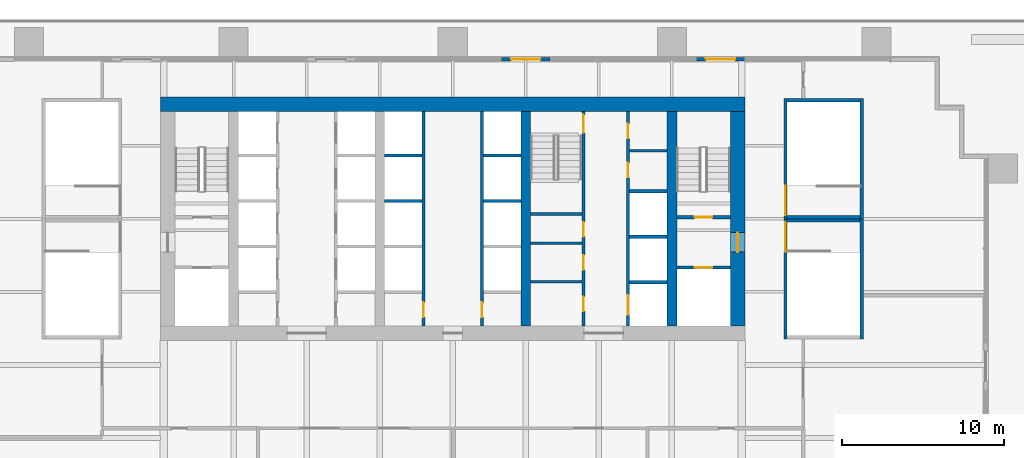
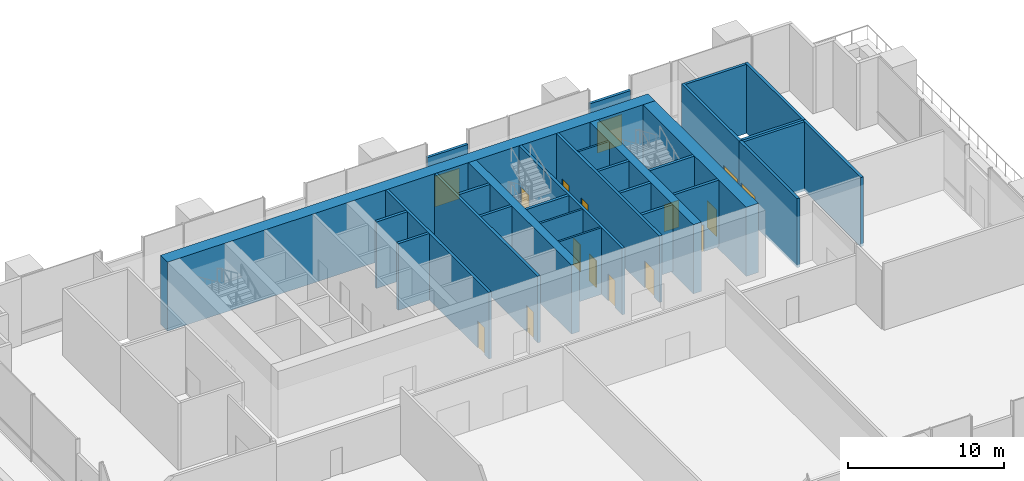
# One storey, part 10 of 16: 30 walls, 16 doors, 16 openings.
"""IFC4 building model written with IfcOpenShell, lengths in metres."""

from ifc_helpers import new_model, si_unit, direction, frame, frame_2d, origin, place, context, subcontext, project, spatial, rectangle, extrude, material, layer, layer_set, type_object, element, fill, save


model = new_model("IFC4")

# Units and contexts
model_context = context("Model", 3, precision=1e-05, world=origin(), true_north=direction((0.0, 1.0)))
body_context = subcontext(model_context, "Body", "Model", "MODEL_VIEW")
ifc_project = project(units=[si_unit("LENGTHUNIT", "METRE"), si_unit("AREAUNIT", "SQUARE_METRE"), si_unit("VOLUMEUNIT", "CUBIC_METRE"), si_unit("PLANEANGLEUNIT", "RADIAN"), si_unit("MASSUNIT", "GRAM", prefix="KILO")], contexts=[model_context])

# Site, building, storey
site_placement = place(None, origin())
site = spatial("IfcSite", under=ifc_project, at=site_placement, CompositionType="ELEMENT")
building_placement = place(site_placement, origin())
building = spatial("IfcBuilding", under=site, at=building_placement, Name="Rattan Terrace Tower", CompositionType="ELEMENT")
storey_placement = place(building_placement, frame((0.0, 0.0, 27.0)))
storey = spatial("IfcBuildingStorey", under=building, at=storey_placement, Name="L05", CompositionType="ELEMENT", Elevation=27.0)

# Walls
ifc_material_1 = material(Name="Gypsum board partition")
ifc_layer_1 = layer(ifc_material_1, 0.14990234375)
ifc_layer_set_1 = layer_set([ifc_layer_1], Name="Core partition 150")
wall_type_1 = type_object("IfcWallType", Name="Core partition 150", PredefinedType="PARTITIONING", material=ifc_layer_set_1)
for number, where, z_axis, x_axis, name in (
    (1, (4.800048828125, -3.8798828125, 0.0), (0.0, 0.0, 1.0), (1.0, 0.0, 0.0), "Toilet wall"),
    (2, (4.800048828125, -1.5, 0.0), (0.0, 0.0, 1.0), (1.0, 0.0, 0.0), "Toilet wall"),
):
    element("IfcWall", number, at=place(storey_placement, frame(where, z_axis=z_axis, x_axis=x_axis)), inside=storey, type_object=wall_type_1, Name=name, PredefinedType="PARTITIONING", context=body_context, shape_type="SweptSolid", body=[
        extrude(rectangle(XDim=3.14990234375, YDim=0.14990234375, at=frame_2d((1.574951171875, 0.0))), origin(), (0.0, 0.0, 1.0), 5.199951171875),
    ])
wall_1_placement = place(storey_placement, frame((10.89990234375, 4.199951171875, 0.0), z_axis=(0.0, 0.0, 1.0), x_axis=(1.0, 0.0, 0.0)))
element("IfcWall", 3, at=wall_1_placement, inside=storey, type_object=wall_type_1, Name="Riser room wall", PredefinedType="PARTITIONING", context=body_context, shape_type="SweptSolid", body=[
    extrude(rectangle(XDim=2.300048828125, YDim=0.14990234375, at=frame_2d((1.14990234375, 0.0))), origin(), (0.0, 0.0, 1.0), 5.199951171875),
])

# Wall, opening, door
ifc_material_2 = material(Name="Gypsum board partition")
ifc_layer_2 = layer(ifc_material_2, 0.199951171875)
ifc_layer_set_2 = layer_set([ifc_layer_2], Name="Core partition 200")
wall_type_2 = type_object("IfcWallType", Name="Core partition 200", PredefinedType="PARTITIONING", material=ifc_layer_set_2)
wall_2_placement = place(storey_placement, frame((13.800048828125, -3.0, 0.0), z_axis=(0.0, 0.0, 1.0), x_axis=(1.0, 0.0, 0.0)))
wall_2 = element("IfcWall", 4, at=wall_2_placement, inside=storey, type_object=wall_type_2, Name="Fire-fighting lobby wall", PredefinedType="PARTITIONING", context=body_context, shape_type="SweptSolid", body=[
    extrude(rectangle(XDim=3.300048828125, YDim=0.199951171875, at=frame_2d((1.64990234375, 0.0))), origin(), (0.0, 0.0, 1.0), 5.199951171875),
])
opening_1_placement = place(wall_2_placement, frame((1.10009765625, 0.0, 0.0)))
opening_1 = element("IfcOpeningElement", 5, at=opening_1_placement, cuts=wall_2, Name="Opening L05-LD-FF2", PredefinedType="OPENING", context=body_context, shape_type="SweptSolid", body=[
    extrude(rectangle(XDim=1.10009765625, YDim=2.10009765625, at=frame_2d((0.550048828125, 1.050048828125))), frame((0.0, 0.110595703125, 0.0), z_axis=(0.0, -1.0, 0.0), x_axis=(1.0, 0.0, 0.0)), (0.0, 0.0, 1.0), 0.220947265625),
])
ifc_material_3 = material(Name="Brushed stainless landing door panel")
door_type_1 = type_object("IfcDoorType", Name="Core lift landing door 1100", OperationType="DOUBLE_DOOR_SLIDING", PredefinedType="DOOR", material=ifc_material_3)
door_1_placement = place(opening_1_placement, origin())
door_1 = element("IfcDoor", 6, at=door_1_placement, inside=storey, type_object=door_type_1, Name="Door L05-LD-FF2", OperationType="DOUBLE_DOOR_SLIDING", OverallHeight=2.10009765625, OverallWidth=1.10009765625, PredefinedType="DOOR", context=body_context, shape_type="SweptSolid", body=[
    extrude(rectangle(XDim=1.10009765625, YDim=2.10009765625, at=frame_2d((0.550048828125, 1.050048828125))), frame((0.0, 0.02490234375, 0.0), z_axis=(0.0, -1.0, 0.0), x_axis=(1.0, 0.0, 0.0)), (0.0, 0.0, 1.0), 0.050048828125),
])
fill(opening_1, door_1)

wall_3_placement = place(storey_placement, frame((13.800048828125, 0.10009765625, 0.0), z_axis=(0.0, 0.0, 1.0), x_axis=(1.0, 0.0, 0.0)))
wall_3 = element("IfcWall", 7, at=wall_3_placement, inside=storey, type_object=wall_type_2, Name="Stair enclosure wall", PredefinedType="PARTITIONING", context=body_context, shape_type="SweptSolid", body=[
    extrude(rectangle(XDim=3.300048828125, YDim=0.199951171875, at=frame_2d((1.64990234375, 0.0))), origin(), (0.0, 0.0, 1.0), 5.199951171875),
])
opening_2_placement = place(wall_3_placement, frame((1.10009765625, 0.0, 0.0)))
opening_2 = element("IfcOpeningElement", 8, at=opening_2_placement, cuts=wall_3, Name="Opening L05-D004", PredefinedType="OPENING", context=body_context, shape_type="SweptSolid", body=[
    extrude(rectangle(XDim=1.10009765625, YDim=2.10009765625, at=frame_2d((0.550048828125, 1.050048828125))), frame((0.0, 0.110595703125, 0.0), z_axis=(0.0, -1.0, 0.0), x_axis=(1.0, 0.0, 0.0)), (0.0, 0.0, 1.0), 0.220947265625),
])
ifc_material_4 = material(Name="Hollow-metal fire door leaf")
door_type_2 = type_object("IfcDoorType", Name="Core stair door 1100", OperationType="NOTDEFINED", PredefinedType="DOOR", material=ifc_material_4)
door_2_placement = place(opening_2_placement, origin())
door_2 = element("IfcDoor", 9, at=door_2_placement, inside=storey, type_object=door_type_2, Name="Door L05-D004", OperationType="SINGLE_SWING_RIGHT", OverallHeight=2.10009765625, OverallWidth=1.10009765625, PredefinedType="DOOR", context=body_context, shape_type="SweptSolid", body=[
    extrude(rectangle(XDim=1.10009765625, YDim=2.10009765625, at=frame_2d((0.550048828125, 1.050048828125))), frame((0.0, 0.02490234375, 0.0), z_axis=(0.0, -1.0, 0.0), x_axis=(1.0, 0.0, 0.0)), (0.0, 0.0, 1.0), 0.050048828125),
])
fill(opening_2, door_2)

# Wall, openings, doors
wall_4_placement = place(storey_placement, frame((8.050048828125, -6.60009765625, 0.0), z_axis=(0.0, 0.0, 1.0), x_axis=(0.0, 1.0, 0.0)))
wall_4 = element("IfcWall", 10, at=wall_4_placement, inside=storey, type_object=wall_type_2, Name="Lobby wall west", PredefinedType="PARTITIONING", context=body_context, shape_type="SweptSolid", body=[
    extrude(rectangle(XDim=13.2001953125, YDim=0.199951171875, at=frame_2d((6.60009765625, 0.0))), origin(), (0.0, 0.0, 1.0), 5.199951171875),
])
opening_3_placement = place(wall_4_placement, frame((0.909912109375, 0.0, 0.0)))
opening_3 = element("IfcOpeningElement", 11, at=opening_3_placement, cuts=wall_4, Name="Opening L05-D011", PredefinedType="OPENING", context=body_context, shape_type="SweptSolid", body=[
    extrude(rectangle(XDim=0.89990234375, YDim=2.10009765625, at=frame_2d((0.449951171875, 1.050048828125))), frame((0.0, 0.110595703125, 0.0), z_axis=(0.0, -1.0, 0.0), x_axis=(1.0, 0.0, 0.0)), (0.0, 0.0, 1.0), 0.220947265625),
])
opening_4_placement = place(wall_4_placement, frame((3.4599609375, 0.0, 0.0)))
opening_4 = element("IfcOpeningElement", 12, at=opening_4_placement, cuts=wall_4, Name="Opening L05-D012", PredefinedType="OPENING", context=body_context, shape_type="SweptSolid", body=[
    extrude(rectangle(XDim=0.89990234375, YDim=2.10009765625, at=frame_2d((0.449951171875, 1.050048828125))), frame((0.0, 0.110595703125, 0.0), z_axis=(0.0, -1.0, 0.0), x_axis=(1.0, 0.0, 0.0)), (0.0, 0.0, 1.0), 0.220947265625),
])
opening_5_placement = place(wall_4_placement, frame((5.5, 0.0, 0.0)))
opening_5 = element("IfcOpeningElement", 13, at=opening_5_placement, cuts=wall_4, Name="Opening L05-D013", PredefinedType="OPENING", context=body_context, shape_type="SweptSolid", body=[
    extrude(rectangle(XDim=0.89990234375, YDim=2.10009765625, at=frame_2d((0.449951171875, 1.050048828125))), frame((0.0, 0.110595703125, 0.0), z_axis=(0.0, -1.0, 0.0), x_axis=(1.0, 0.0, 0.0)), (0.0, 0.0, 1.0), 0.220947265625),
])
opening_6_placement = place(wall_4_placement, frame((11.89990234375, 0.0, 0.0)))
opening_6 = element("IfcOpeningElement", 14, at=opening_6_placement, cuts=wall_4, Name="Opening L05-D014", PredefinedType="OPENING", context=body_context, shape_type="SweptSolid", body=[
    extrude(rectangle(XDim=1.10009765625, YDim=2.10009765625, at=frame_2d((0.550048828125, 1.050048828125))), frame((0.0, 0.110595703125, 0.0), z_axis=(0.0, -1.0, 0.0), x_axis=(1.0, 0.0, 0.0)), (0.0, 0.0, 1.0), 0.220947265625),
])
ifc_material_5 = material(Name="Hollow-metal fire door leaf")
door_type_3 = type_object("IfcDoorType", Name="Core service room door 900", OperationType="NOTDEFINED", PredefinedType="DOOR", material=ifc_material_5)
door_3_placement = place(opening_5_placement, origin())
door_3 = element("IfcDoor", 15, at=door_3_placement, inside=storey, type_object=door_type_3, Name="Door L05-D013", OperationType="SINGLE_SWING_RIGHT", OverallHeight=2.10009765625, OverallWidth=0.89990234375, PredefinedType="DOOR", context=body_context, shape_type="SweptSolid", body=[
    extrude(rectangle(XDim=0.89990234375, YDim=2.10009765625, at=frame_2d((0.449951171875, 1.050048828125))), frame((0.0, 0.02490234375, 0.0), z_axis=(0.0, -1.0, 0.0), x_axis=(1.0, 0.0, 0.0)), (0.0, 0.0, 1.0), 0.050048828125),
])
fill(opening_5, door_3)
door_4_placement = place(opening_6_placement, origin())
door_4 = element("IfcDoor", 16, at=door_4_placement, inside=storey, type_object=door_type_2, Name="Door L05-D014", OperationType="SINGLE_SWING_LEFT", OverallHeight=2.10009765625, OverallWidth=1.10009765625, PredefinedType="DOOR", context=body_context, shape_type="SweptSolid", body=[
    extrude(rectangle(XDim=1.10009765625, YDim=2.10009765625, at=frame_2d((0.550048828125, 1.050048828125))), frame((0.0, 0.02490234375, 0.0), z_axis=(0.0, -1.0, 0.0), x_axis=(1.0, 0.0, 0.0)), (0.0, 0.0, 1.0), 0.050048828125),
])
fill(opening_6, door_4)
ifc_material_6 = material(Name="Hollow-metal fire door leaf")
door_type_4 = type_object("IfcDoorType", Name="Core toilet door 900", OperationType="NOTDEFINED", PredefinedType="DOOR", material=ifc_material_6)
door_5_placement = place(opening_3_placement, origin())
door_5 = element("IfcDoor", 17, at=door_5_placement, inside=storey, type_object=door_type_4, Name="Door L05-D011", OperationType="SINGLE_SWING_RIGHT", OverallHeight=2.10009765625, OverallWidth=0.89990234375, PredefinedType="DOOR", context=body_context, shape_type="SweptSolid", body=[
    extrude(rectangle(XDim=0.89990234375, YDim=2.10009765625, at=frame_2d((0.449951171875, 1.050048828125))), frame((0.0, 0.02490234375, 0.0), z_axis=(0.0, -1.0, 0.0), x_axis=(1.0, 0.0, 0.0)), (0.0, 0.0, 1.0), 0.050048828125),
])
fill(opening_3, door_5)
door_6_placement = place(opening_4_placement, origin())
door_6 = element("IfcDoor", 18, at=door_6_placement, inside=storey, type_object=door_type_4, Name="Door L05-D012", OperationType="SINGLE_SWING_LEFT", OverallHeight=2.10009765625, OverallWidth=0.89990234375, PredefinedType="DOOR", context=body_context, shape_type="SweptSolid", body=[
    extrude(rectangle(XDim=0.89990234375, YDim=2.10009765625, at=frame_2d((0.449951171875, 1.050048828125))), frame((0.0, 0.02490234375, 0.0), z_axis=(0.0, -1.0, 0.0), x_axis=(1.0, 0.0, 0.0)), (0.0, 0.0, 1.0), 0.050048828125),
])
fill(opening_4, door_6)

# Walls
wall_5_placement = place(storey_placement, frame((4.800048828125, 0.300048828125, 0.0), z_axis=(0.0, 0.0, 1.0), x_axis=(1.0, 0.0, 0.0)))
element("IfcWall", 19, at=wall_5_placement, inside=storey, type_object=wall_type_2, Name="Stair enclosure wall", PredefinedType="PARTITIONING", context=body_context, shape_type="SweptSolid", body=[
    extrude(rectangle(XDim=3.14990234375, YDim=0.199951171875, at=frame_2d((1.574951171875, 0.0))), origin(), (0.0, 0.0, 1.0), 5.199951171875),
])
ifc_material_7 = material(Name="Concrete C70/85", Category="concrete")
ifc_layer_3 = layer(ifc_material_7, 0.89990234375)
ifc_layer_set_3 = layer_set([ifc_layer_3], Name="Core ring wall 900 C70/85")
wall_type_3 = type_object("IfcWallType", Name="Core ring wall 900 C70/85", PredefinedType="SHEAR", material=ifc_layer_set_3)
wall_6_placement = place(storey_placement, frame((-18.0, 7.050048828125, -0.199951171875), z_axis=(0.0, 0.0, 1.0), x_axis=(1.0, 0.0, 0.0)))
element("IfcWall", 20, at=wall_6_placement, inside=storey, type_object=wall_type_3, Name="Rear core wall north", PredefinedType="SHEAR", context=body_context, shape_type="SweptSolid", body=[
    extrude(rectangle(XDim=36.0, YDim=0.89990234375, at=frame_2d((18.0, 0.0))), origin(), (0.0, 0.0, 1.0), 5.39990234375),
])

# Wall, opening, door
wall_7_placement = place(storey_placement, frame((17.550048828125, -6.60009765625, -0.199951171875), z_axis=(0.0, 0.0, 1.0), x_axis=(0.0, 1.0, 0.0)))
wall_7 = element("IfcWall", 21, at=wall_7_placement, inside=storey, type_object=wall_type_3, Name="Rear core wall east", PredefinedType="SHEAR", context=body_context, shape_type="SweptSolid", body=[
    extrude(rectangle(XDim=13.2001953125, YDim=0.89990234375, at=frame_2d((6.60009765625, 0.0))), origin(), (0.0, 0.0, 1.0), 5.39990234375),
])
opening_7_placement = place(wall_7_placement, frame((4.550048828125, 0.0, 0.199951171875)))
opening_7 = element("IfcOpeningElement", 22, at=opening_7_placement, cuts=wall_7, Name="Opening L05-D003", PredefinedType="OPENING", context=body_context, shape_type="SweptSolid", body=[
    extrude(rectangle(XDim=1.199951171875, YDim=2.10009765625, at=frame_2d((0.60009765625, 1.050048828125))), frame((0.0, 0.46044921875, 0.0), z_axis=(0.0, -1.0, 0.0), x_axis=(1.0, 0.0, 0.0)), (0.0, 0.0, 1.0), 0.9208984375),
])
ifc_material_8 = material(Name="Hollow-metal fire door leaf")
door_type_5 = type_object("IfcDoorType", Name="Core fire-fighting lobby door 1200", OperationType="NOTDEFINED", PredefinedType="DOOR", material=ifc_material_8)
door_7_placement = place(opening_7_placement, origin())
door_7 = element("IfcDoor", 23, at=door_7_placement, inside=storey, type_object=door_type_5, Name="Door L05-D003", OperationType="SINGLE_SWING_LEFT", OverallHeight=2.10009765625, OverallWidth=1.199951171875, PredefinedType="DOOR", context=body_context, shape_type="SweptSolid", body=[
    extrude(rectangle(XDim=1.199951171875, YDim=2.10009765625, at=frame_2d((0.60009765625, 1.050048828125))), frame((0.0, 0.02490234375, 0.0), z_axis=(0.0, -1.0, 0.0), x_axis=(1.0, 0.0, 0.0)), (0.0, 0.0, 1.0), 0.050048828125),
])
fill(opening_7, door_7)

# Walls
ifc_material_9 = material(Name="Concrete C70/85", Category="concrete")
ifc_layer_4 = layer(ifc_material_9, 0.60009765625)
ifc_layer_set_4 = layer_set([ifc_layer_4], Name="Core spine wall 600 C70/85")
wall_type_4 = type_object("IfcWallType", Name="Core spine wall 600 C70/85", PredefinedType="SHEAR", material=ifc_layer_set_4)
for number, where, z_axis, x_axis, name in (
    (24, (4.5, -6.60009765625, -0.199951171875), (0.0, 0.0, 1.0), (0.0, 1.0, 0.0), "Core spine wall 3"),
    (25, (13.5, -6.60009765625, -0.199951171875), (0.0, 0.0, 1.0), (0.0, 1.0, 0.0), "Core spine wall 4"),
):
    element("IfcWall", number, at=place(storey_placement, frame(where, z_axis=z_axis, x_axis=x_axis)), inside=storey, type_object=wall_type_4, Name=name, PredefinedType="SHEAR", context=body_context, shape_type="SweptSolid", body=[
        extrude(rectangle(XDim=13.2001953125, YDim=0.60009765625, at=frame_2d((6.60009765625, 0.0))), origin(), (0.0, 0.0, 1.0), 5.39990234375),
    ])

# Wall, opening, door
ifc_material_10 = material(Name="Insulated aluminium-clad stud wall", Category="aluminium")
ifc_layer_5 = layer(ifc_material_10, 0.199951171875)
ifc_layer_set_5 = layer_set([ifc_layer_5], Name="Facade Door Wall 200")
wall_type_5 = type_object("IfcWallType", Name="Facade Door Wall 200", PredefinedType="SOLIDWALL", material=ifc_layer_set_5)
wall_8_placement = place(storey_placement, frame((18.0, 9.830078125, 0.0), z_axis=(0.0, 0.0, 1.0), x_axis=(-1.0, 0.0, 0.0)))
wall_8 = element("IfcWall", 26, at=wall_8_placement, inside=storey, type_object=wall_type_5, Name="Terrace door wall L05-13", PredefinedType="SOLIDWALL", context=body_context, shape_type="SweptSolid", body=[
    extrude(rectangle(XDim=3.0, YDim=0.199951171875, at=frame_2d((1.5, 0.0))), origin(), (0.0, 0.0, 1.0), 4.10009765625),
])
opening_8_placement = place(wall_8_placement, frame((0.60009765625, 0.0, 0.0)))
opening_8 = element("IfcOpeningElement", 27, at=opening_8_placement, cuts=wall_8, Name="Opening L05-D703", PredefinedType="OPENING", context=body_context, shape_type="SweptSolid", body=[
    extrude(rectangle(XDim=1.800048828125, YDim=2.39990234375, at=frame_2d((0.89990234375, 1.199951171875))), frame((0.0, 0.110595703125, 0.0), z_axis=(0.0, -1.0, 0.0), x_axis=(1.0, 0.0, 0.0)), (0.0, 0.0, 1.0), 0.220947265625),
])
ifc_material_11 = material(Name="Aluminium and clear glass", Category="aluminium")
door_type_6 = type_object("IfcDoorType", Name="Facade Terrace Door 1800", OperationType="DOUBLE_DOOR_SINGLE_SWING", PredefinedType="DOOR", material=ifc_material_11)
door_8_placement = place(opening_8_placement, origin())
door_8 = element("IfcDoor", 28, at=door_8_placement, inside=storey, type_object=door_type_6, Name="Terrace door L05-D703", OperationType="DOUBLE_DOOR_SINGLE_SWING", OverallHeight=2.39990234375, OverallWidth=1.800048828125, PredefinedType="DOOR", context=body_context, shape_type="SweptSolid", body=[
    extrude(rectangle(XDim=1.800048828125, YDim=2.39990234375, at=frame_2d((0.89990234375, 1.199951171875))), frame((0.0, 0.02490234375, 0.0), z_axis=(0.0, -1.0, 0.0), x_axis=(1.0, 0.0, 0.0)), (0.0, 0.0, 1.0), 0.050048828125),
])
fill(opening_8, door_8)

wall_9_placement = place(storey_placement, frame((6.0, 9.830078125, 0.0), z_axis=(0.0, 0.0, 1.0), x_axis=(-1.0, 0.0, 0.0)))
wall_9 = element("IfcWall", 29, at=wall_9_placement, inside=storey, type_object=wall_type_5, Name="Terrace door wall L05-14", PredefinedType="SOLIDWALL", context=body_context, shape_type="SweptSolid", body=[
    extrude(rectangle(XDim=3.0, YDim=0.199951171875, at=frame_2d((1.5, 0.0))), origin(), (0.0, 0.0, 1.0), 4.10009765625),
])
opening_9_placement = place(wall_9_placement, frame((0.60009765625, 0.0, 0.0)))
opening_9 = element("IfcOpeningElement", 30, at=opening_9_placement, cuts=wall_9, Name="Opening L05-D704", PredefinedType="OPENING", context=body_context, shape_type="SweptSolid", body=[
    extrude(rectangle(XDim=1.800048828125, YDim=2.39990234375, at=frame_2d((0.89990234375, 1.199951171875))), frame((0.0, 0.110595703125, 0.0), z_axis=(0.0, -1.0, 0.0), x_axis=(1.0, 0.0, 0.0)), (0.0, 0.0, 1.0), 0.220947265625),
])
door_9_placement = place(opening_9_placement, origin())
door_9 = element("IfcDoor", 31, at=door_9_placement, inside=storey, type_object=door_type_6, Name="Terrace door L05-D704", OperationType="DOUBLE_DOOR_SINGLE_SWING", OverallHeight=2.39990234375, OverallWidth=1.800048828125, PredefinedType="DOOR", context=body_context, shape_type="SweptSolid", body=[
    extrude(rectangle(XDim=1.800048828125, YDim=2.39990234375, at=frame_2d((0.89990234375, 1.199951171875))), frame((0.0, 0.02490234375, 0.0), z_axis=(0.0, -1.0, 0.0), x_axis=(1.0, 0.0, 0.0)), (0.0, 0.0, 1.0), 0.050048828125),
])
fill(opening_9, door_9)

ifc_material_12 = material(Name="Gypsum shaft wall system")
ifc_layer_6 = layer(ifc_material_12, 0.199951171875)
ifc_layer_set_6 = layer_set([ifc_layer_6], Name="Lift shaft wall 200")
wall_type_6 = type_object("IfcWallType", Name="Lift shaft wall 200", PredefinedType="PARTITIONING", material=ifc_layer_set_6)
wall_10_placement = place(storey_placement, frame((-1.800048828125, -6.60009765625, 0.0), z_axis=(0.0, 0.0, 1.0), x_axis=(0.0, 1.0, 0.0)))
wall_10 = element("IfcWall", 32, at=wall_10_placement, inside=storey, type_object=wall_type_6, Name="Lift shaft front wall", PredefinedType="PARTITIONING", context=body_context, shape_type="SweptSolid", body=[
    extrude(rectangle(XDim=13.2001953125, YDim=0.199951171875, at=frame_2d((6.60009765625, 0.0))), origin(), (0.0, 0.0, 1.0), 5.199951171875),
])
opening_10_placement = place(wall_10_placement, frame((0.550048828125, 0.0, 0.0)))
opening_10 = element("IfcOpeningElement", 33, at=opening_10_placement, cuts=wall_10, Name="Opening L05-D008", PredefinedType="OPENING", context=body_context, shape_type="SweptSolid", body=[
    extrude(rectangle(XDim=0.89990234375, YDim=2.10009765625, at=frame_2d((0.449951171875, 1.050048828125))), frame((0.0, 0.110595703125, 0.0), z_axis=(0.0, -1.0, 0.0), x_axis=(1.0, 0.0, 0.0)), (0.0, 0.0, 1.0), 0.220947265625),
])
ifc_material_13 = material(Name="Hollow-metal fire door leaf")
door_type_7 = type_object("IfcDoorType", Name="Core riser door 900", OperationType="NOTDEFINED", PredefinedType="DOOR", material=ifc_material_13)
door_10_placement = place(opening_10_placement, origin())
door_10 = element("IfcDoor", 34, at=door_10_placement, inside=storey, type_object=door_type_7, Name="Door L05-D008", OperationType="SINGLE_SWING_LEFT", OverallHeight=2.10009765625, OverallWidth=0.89990234375, PredefinedType="DOOR", context=body_context, shape_type="SweptSolid", body=[
    extrude(rectangle(XDim=0.89990234375, YDim=2.10009765625, at=frame_2d((0.449951171875, 1.050048828125))), frame((0.0, 0.02490234375, 0.0), z_axis=(0.0, -1.0, 0.0), x_axis=(1.0, 0.0, 0.0)), (0.0, 0.0, 1.0), 0.050048828125),
])
fill(opening_10, door_10)

wall_11_placement = place(storey_placement, frame((1.800048828125, -6.60009765625, 0.0), z_axis=(0.0, 0.0, 1.0), x_axis=(0.0, 1.0, 0.0)))
wall_11 = element("IfcWall", 35, at=wall_11_placement, inside=storey, type_object=wall_type_6, Name="Lift shaft front wall", PredefinedType="PARTITIONING", context=body_context, shape_type="SweptSolid", body=[
    extrude(rectangle(XDim=13.2001953125, YDim=0.199951171875, at=frame_2d((6.60009765625, 0.0))), origin(), (0.0, 0.0, 1.0), 5.199951171875),
])
opening_11_placement = place(wall_11_placement, frame((0.550048828125, 0.0, 0.0)))
opening_11 = element("IfcOpeningElement", 36, at=opening_11_placement, cuts=wall_11, Name="Opening L05-D009", PredefinedType="OPENING", context=body_context, shape_type="SweptSolid", body=[
    extrude(rectangle(XDim=0.89990234375, YDim=2.10009765625, at=frame_2d((0.449951171875, 1.050048828125))), frame((0.0, 0.110595703125, 0.0), z_axis=(0.0, -1.0, 0.0), x_axis=(1.0, 0.0, 0.0)), (0.0, 0.0, 1.0), 0.220947265625),
])
door_11_placement = place(opening_11_placement, origin())
door_11 = element("IfcDoor", 37, at=door_11_placement, inside=storey, type_object=door_type_7, Name="Door L05-D009", OperationType="SINGLE_SWING_RIGHT", OverallHeight=2.10009765625, OverallWidth=0.89990234375, PredefinedType="DOOR", context=body_context, shape_type="SweptSolid", body=[
    extrude(rectangle(XDim=0.89990234375, YDim=2.10009765625, at=frame_2d((0.449951171875, 1.050048828125))), frame((0.0, 0.02490234375, 0.0), z_axis=(0.0, -1.0, 0.0), x_axis=(1.0, 0.0, 0.0)), (0.0, 0.0, 1.0), 0.050048828125),
])
fill(opening_11, door_11)

# Walls
for number, where, z_axis, x_axis, name in (
    (38, (-4.199951171875, 1.10009765625, 0.0), (0.0, 0.0, 1.0), (1.0, 0.0, 0.0), "Lift shaft wall"),
    (39, (-4.199951171875, 3.89990234375, 0.0), (0.0, 0.0, 1.0), (1.0, 0.0, 0.0), "Lift shaft wall"),
    (40, (1.89990234375, 1.10009765625, 0.0), (0.0, 0.0, 1.0), (1.0, 0.0, 0.0), "Lift shaft wall"),
    (41, (1.89990234375, 3.89990234375, 0.0), (0.0, 0.0, 1.0), (1.0, 0.0, 0.0), "Lift shaft wall"),
):
    element("IfcWall", number, at=place(storey_placement, frame(where, z_axis=z_axis, x_axis=x_axis)), inside=storey, type_object=wall_type_6, Name=name, PredefinedType="PARTITIONING", context=body_context, shape_type="SweptSolid", body=[
        extrude(rectangle(XDim=2.300048828125, YDim=0.199951171875, at=frame_2d((1.14990234375, 0.0))), origin(), (0.0, 0.0, 1.0), 5.199951171875),
    ])

# Wall, openings, doors
wall_12_placement = place(storey_placement, frame((10.800048828125, -6.60009765625, 0.0), z_axis=(0.0, 0.0, 1.0), x_axis=(0.0, 1.0, 0.0)))
wall_12 = element("IfcWall", 42, at=wall_12_placement, inside=storey, type_object=wall_type_6, Name="Lift shaft front wall", PredefinedType="PARTITIONING", context=body_context, shape_type="SweptSolid", body=[
    extrude(rectangle(XDim=13.2001953125, YDim=0.199951171875, at=frame_2d((6.60009765625, 0.0))), origin(), (0.0, 0.0, 1.0), 5.199951171875),
])
opening_12_placement = place(wall_12_placement, frame((0.699951171875, 0.0, 0.0)))
opening_12 = element("IfcOpeningElement", 43, at=opening_12_placement, cuts=wall_12, Name="Opening L05-LD-SV1", PredefinedType="OPENING", context=body_context, shape_type="SweptSolid", body=[
    extrude(rectangle(XDim=1.199951171875, YDim=2.10009765625, at=frame_2d((0.60009765625, 1.050048828125))), frame((0.0, 0.110595703125, 0.0), z_axis=(0.0, -1.0, 0.0), x_axis=(1.0, 0.0, 0.0)), (0.0, 0.0, 1.0), 0.220947265625),
])
opening_13_placement = place(wall_12_placement, frame((9.14990234375, 0.0, 0.0)))
opening_13 = element("IfcOpeningElement", 44, at=opening_13_placement, cuts=wall_12, Name="Opening L05-D016", PredefinedType="OPENING", context=body_context, shape_type="SweptSolid", body=[
    extrude(rectangle(XDim=0.89990234375, YDim=2.10009765625, at=frame_2d((0.449951171875, 1.050048828125))), frame((0.0, 0.110595703125, 0.0), z_axis=(0.0, -1.0, 0.0), x_axis=(1.0, 0.0, 0.0)), (0.0, 0.0, 1.0), 0.220947265625),
])
opening_14_placement = place(wall_12_placement, frame((11.550048828125, 0.0, 0.0)))
opening_14 = element("IfcOpeningElement", 45, at=opening_14_placement, cuts=wall_12, Name="Opening L05-D017", PredefinedType="OPENING", context=body_context, shape_type="SweptSolid", body=[
    extrude(rectangle(XDim=0.89990234375, YDim=2.10009765625, at=frame_2d((0.449951171875, 1.050048828125))), frame((0.0, 0.110595703125, 0.0), z_axis=(0.0, -1.0, 0.0), x_axis=(1.0, 0.0, 0.0)), (0.0, 0.0, 1.0), 0.220947265625),
])
ifc_material_14 = material(Name="Brushed stainless landing door panel")
door_type_8 = type_object("IfcDoorType", Name="Core lift landing door 1200", OperationType="DOUBLE_DOOR_SLIDING", PredefinedType="DOOR", material=ifc_material_14)
door_12_placement = place(opening_12_placement, origin())
door_12 = element("IfcDoor", 46, at=door_12_placement, inside=storey, type_object=door_type_8, Name="Door L05-LD-SV1", OperationType="DOUBLE_DOOR_SLIDING", OverallHeight=2.10009765625, OverallWidth=1.199951171875, PredefinedType="DOOR", context=body_context, shape_type="SweptSolid", body=[
    extrude(rectangle(XDim=1.199951171875, YDim=2.10009765625, at=frame_2d((0.60009765625, 1.050048828125))), frame((0.0, 0.02490234375, 0.0), z_axis=(0.0, -1.0, 0.0), x_axis=(1.0, 0.0, 0.0)), (0.0, 0.0, 1.0), 0.050048828125),
])
fill(opening_12, door_12)
door_13_placement = place(opening_13_placement, origin())
door_13 = element("IfcDoor", 47, at=door_13_placement, inside=storey, type_object=door_type_7, Name="Door L05-D016", OperationType="SINGLE_SWING_RIGHT", OverallHeight=2.10009765625, OverallWidth=0.89990234375, PredefinedType="DOOR", context=body_context, shape_type="SweptSolid", body=[
    extrude(rectangle(XDim=0.89990234375, YDim=2.10009765625, at=frame_2d((0.449951171875, 1.050048828125))), frame((0.0, 0.02490234375, 0.0), z_axis=(0.0, -1.0, 0.0), x_axis=(1.0, 0.0, 0.0)), (0.0, 0.0, 1.0), 0.050048828125),
])
fill(opening_13, door_13)
door_14_placement = place(opening_14_placement, origin())
door_14 = element("IfcDoor", 48, at=door_14_placement, inside=storey, type_object=door_type_7, Name="Door L05-D017", OperationType="SINGLE_SWING_LEFT", OverallHeight=2.10009765625, OverallWidth=0.89990234375, PredefinedType="DOOR", context=body_context, shape_type="SweptSolid", body=[
    extrude(rectangle(XDim=0.89990234375, YDim=2.10009765625, at=frame_2d((0.449951171875, 1.050048828125))), frame((0.0, 0.02490234375, 0.0), z_axis=(0.0, -1.0, 0.0), x_axis=(1.0, 0.0, 0.0)), (0.0, 0.0, 1.0), 0.050048828125),
])
fill(opening_14, door_14)

# Walls
for number, where, z_axis, x_axis, name in (
    (49, (10.89990234375, -3.89990234375, 0.0), (0.0, 0.0, 1.0), (1.0, 0.0, 0.0), "Lift shaft wall"),
    (50, (10.89990234375, -1.10009765625, 0.0), (0.0, 0.0, 1.0), (1.0, 0.0, 0.0), "Lift shaft wall"),
    (51, (10.89990234375, 1.699951171875, 0.0), (0.0, 0.0, 1.0), (1.0, 0.0, 0.0), "Lift shaft wall"),
):
    element("IfcWall", number, at=place(storey_placement, frame(where, z_axis=z_axis, x_axis=x_axis)), inside=storey, type_object=wall_type_6, Name=name, PredefinedType="PARTITIONING", context=body_context, shape_type="SweptSolid", body=[
        extrude(rectangle(XDim=2.300048828125, YDim=0.199951171875, at=frame_2d((1.14990234375, 0.0))), origin(), (0.0, 0.0, 1.0), 5.199951171875),
    ])

# Wall, opening, door
ifc_material_15 = material(Name="Concrete C40/50", Category="concrete")
ifc_layer_7 = layer(ifc_material_15, 0.199951171875)
ifc_layer_set_7 = layer_set([ifc_layer_7], Name="Podium exit stair shaft wall 200")
wall_type_7 = type_object("IfcWallType", Name="Podium exit stair shaft wall 200", PredefinedType="SHEAR", material=ifc_layer_set_7)
wall_13_placement = place(storey_placement, frame((20.5, -7.39990234375, -0.199951171875), z_axis=(0.0, 0.0, 1.0), x_axis=(0.0, 1.0, 0.0)))
wall_13 = element("IfcWall", 52, at=wall_13_placement, inside=storey, type_object=wall_type_7, Name="L05 stair S6 shaft wall", PredefinedType="SHEAR", context=body_context, shape_type="SweptSolid", body=[
    extrude(rectangle(XDim=7.39990234375, YDim=0.199951171875, at=frame_2d((3.699951171875, 0.0))), origin(), (0.0, 0.0, 1.0), 5.39990234375),
])
opening_15_placement = place(wall_13_placement, frame((5.375, 0.0, 0.199951171875)))
opening_15 = element("IfcOpeningElement", 53, at=opening_15_placement, cuts=wall_13, Name="Opening L05-D903", PredefinedType="OPENING", context=body_context, shape_type="SweptSolid", body=[
    extrude(rectangle(XDim=1.800048828125, YDim=2.10009765625, at=frame_2d((0.89990234375, 1.050048828125))), frame((0.0, 0.110595703125, 0.0), z_axis=(0.0, -1.0, 0.0), x_axis=(1.0, 0.0, 0.0)), (0.0, 0.0, 1.0), 0.220947265625),
])
ifc_material_16 = material(Name="Hollow-metal fire door leaf")
door_type_9 = type_object("IfcDoorType", Name="Podium exit stair door pair 1800", OperationType="DOUBLE_DOOR_SINGLE_SWING", PredefinedType="DOOR", material=ifc_material_16)
door_15_placement = place(opening_15_placement, origin())
door_15 = element("IfcDoor", 54, at=door_15_placement, inside=storey, type_object=door_type_9, Name="Door L05-D903", OperationType="DOUBLE_DOOR_SINGLE_SWING", OverallHeight=2.10009765625, OverallWidth=1.800048828125, PredefinedType="DOOR", context=body_context, shape_type="SweptSolid", body=[
    extrude(rectangle(XDim=1.800048828125, YDim=2.10009765625, at=frame_2d((0.89990234375, 1.050048828125))), frame((0.0, 0.02490234375, 0.0), z_axis=(0.0, -1.0, 0.0), x_axis=(1.0, 0.0, 0.0)), (0.0, 0.0, 1.0), 0.050048828125),
])
fill(opening_15, door_15)

# Walls
wall_14_placement = place(storey_placement, frame((25.199951171875, -7.39990234375, -0.199951171875), z_axis=(0.0, 0.0, 1.0), x_axis=(0.0, 1.0, 0.0)))
element("IfcWall", 55, at=wall_14_placement, inside=storey, type_object=wall_type_7, Name="L05 stair S6 shaft wall", PredefinedType="SHEAR", context=body_context, shape_type="SweptSolid", body=[
    extrude(rectangle(XDim=7.39990234375, YDim=0.199951171875, at=frame_2d((3.699951171875, 0.0))), origin(), (0.0, 0.0, 1.0), 5.39990234375),
])
wall_15_placement = place(storey_placement, frame((20.60009765625, -0.10009765625, -0.199951171875), z_axis=(0.0, 0.0, 1.0), x_axis=(1.0, 0.0, 0.0)))
element("IfcWall", 56, at=wall_15_placement, inside=storey, type_object=wall_type_7, Name="L05 stair S6 shaft wall", PredefinedType="SHEAR", context=body_context, shape_type="SweptSolid", body=[
    extrude(rectangle(XDim=4.5, YDim=0.199951171875, at=frame_2d((2.25, 0.0))), origin(), (0.0, 0.0, 1.0), 5.39990234375),
])

# Wall, opening, door
wall_16_placement = place(storey_placement, frame((20.5, 0.0, -0.199951171875), z_axis=(0.0, 0.0, 1.0), x_axis=(0.0, 1.0, 0.0)))
wall_16 = element("IfcWall", 57, at=wall_16_placement, inside=storey, type_object=wall_type_7, Name="L05 stair S7 shaft wall", PredefinedType="SHEAR", context=body_context, shape_type="SweptSolid", body=[
    extrude(rectangle(XDim=7.39990234375, YDim=0.199951171875, at=frame_2d((3.699951171875, 0.0))), origin(), (0.0, 0.0, 1.0), 5.39990234375),
])
opening_16_placement = place(wall_16_placement, frame((0.22509765625, 0.0, 0.199951171875)))
opening_16 = element("IfcOpeningElement", 58, at=opening_16_placement, cuts=wall_16, Name="Opening L05-D904", PredefinedType="OPENING", context=body_context, shape_type="SweptSolid", body=[
    extrude(rectangle(XDim=1.800048828125, YDim=2.10009765625, at=frame_2d((0.89990234375, 1.050048828125))), frame((0.0, 0.110595703125, 0.0), z_axis=(0.0, -1.0, 0.0), x_axis=(1.0, 0.0, 0.0)), (0.0, 0.0, 1.0), 0.220947265625),
])
door_16_placement = place(opening_16_placement, origin())
door_16 = element("IfcDoor", 59, at=door_16_placement, inside=storey, type_object=door_type_9, Name="Door L05-D904", OperationType="DOUBLE_DOOR_SINGLE_SWING", OverallHeight=2.10009765625, OverallWidth=1.800048828125, PredefinedType="DOOR", context=body_context, shape_type="SweptSolid", body=[
    extrude(rectangle(XDim=1.800048828125, YDim=2.10009765625, at=frame_2d((0.89990234375, 1.050048828125))), frame((0.0, 0.02490234375, 0.0), z_axis=(0.0, -1.0, 0.0), x_axis=(1.0, 0.0, 0.0)), (0.0, 0.0, 1.0), 0.050048828125),
])
fill(opening_16, door_16)

# Walls
wall_17_placement = place(storey_placement, frame((25.199951171875, 0.0, -0.199951171875), z_axis=(0.0, 0.0, 1.0), x_axis=(0.0, 1.0, 0.0)))
element("IfcWall", 60, at=wall_17_placement, inside=storey, type_object=wall_type_7, Name="L05 stair S7 shaft wall", PredefinedType="SHEAR", context=body_context, shape_type="SweptSolid", body=[
    extrude(rectangle(XDim=7.39990234375, YDim=0.199951171875, at=frame_2d((3.699951171875, 0.0))), origin(), (0.0, 0.0, 1.0), 5.39990234375),
])
for number, where, z_axis, x_axis, name in (
    (61, (20.60009765625, 7.300048828125, -0.199951171875), (0.0, 0.0, 1.0), (1.0, 0.0, 0.0), "L05 stair S7 shaft wall"),
    (62, (20.60009765625, 0.10009765625, -0.199951171875), (0.0, 0.0, 1.0), (1.0, 0.0, 0.0), "L05 stair S7 shaft wall"),
):
    element("IfcWall", number, at=place(storey_placement, frame(where, z_axis=z_axis, x_axis=x_axis)), inside=storey, type_object=wall_type_7, Name=name, PredefinedType="SHEAR", context=body_context, shape_type="SweptSolid", body=[
        extrude(rectangle(XDim=4.5, YDim=0.199951171875, at=frame_2d((2.25, 0.0))), origin(), (0.0, 0.0, 1.0), 5.39990234375),
    ])

save(model, "model.ifc")
